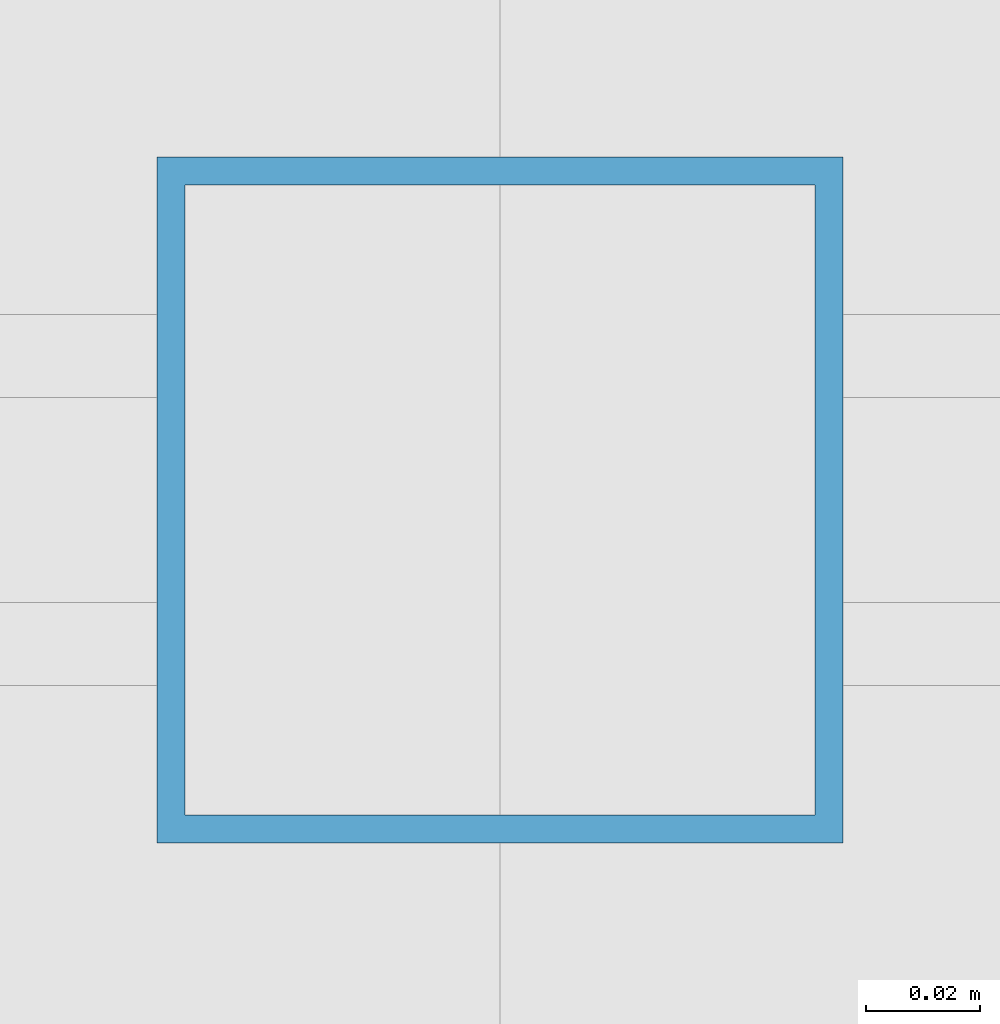
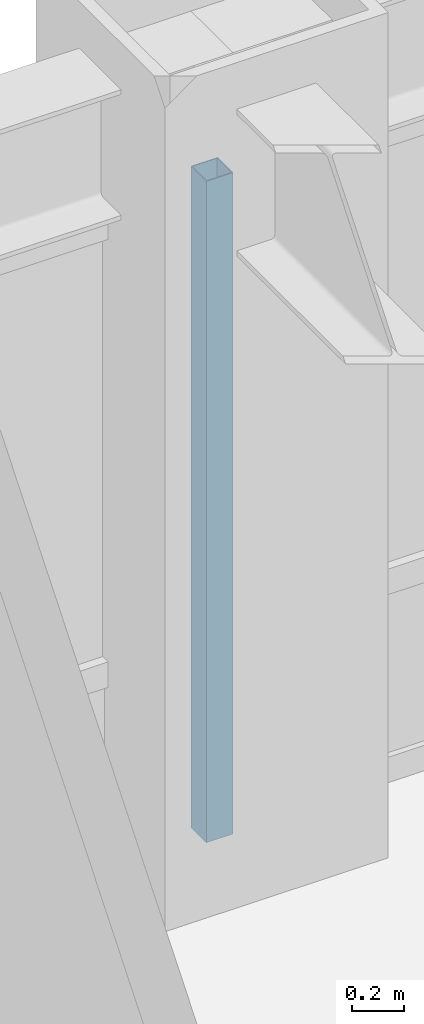
# One storey, part 16 of 25: 1 member, 1 element without a shape of its own.
"""IFC4 building model written with IfcOpenShell, lengths in metres."""

from ifc_helpers import new_model, si_unit, direction, frame, origin, origin_2d, place, context, subcontext, project, spatial, hollow_rectangle, extrude, source, transform, mapped, material, material_profile, profile_set, type_object, element, aggregate, save


model = new_model("IFC4")

# Units and contexts
model_context = context("Model", 3, precision=1e-05, world=origin(), true_north=direction((0.0, 1.0)))
body_context = subcontext(model_context, "Body", "Model", "MODEL_VIEW")
ifc_project = project(units=[si_unit("LENGTHUNIT", "METRE"), si_unit("AREAUNIT", "SQUARE_METRE"), si_unit("VOLUMEUNIT", "CUBIC_METRE"), si_unit("PLANEANGLEUNIT", "RADIAN"), si_unit("MASSUNIT", "GRAM", prefix="KILO")], contexts=[model_context])

# Site, building, storey
site_placement = place(None, origin())
site = spatial("IfcSite", under=ifc_project, at=site_placement, CompositionType="ELEMENT")
building_placement = place(site_placement, origin())
building = spatial("IfcBuilding", under=site, at=building_placement, Name="Khorayat Bourse Tower", CompositionType="ELEMENT")
storey_placement = place(building_placement, frame((0.0, 0.0, 251.10009765625)))
storey = spatial("IfcBuildingStorey", under=building, at=storey_placement, Name="L59", CompositionType="ELEMENT", Elevation=251.10009765625)

# Curtain wall, member
ifc_material = material(Name="Aluminium EN AW-6063 T6", Category="aluminium")
curtain_wall_type = type_object("IfcCurtainWallType", Name="CW-SYS-03", PredefinedType="NOTDEFINED", material=ifc_material)
curtain_wall_placement = place(storey_placement, origin())
curtain_wall = element("IfcCurtainWall", 1, at=curtain_wall_placement, inside=storey, type_object=curtain_wall_type, Name="L59 Curtain Wall CW-L59-N1", PredefinedType="NOTDEFINED")
ifc_material_profile = material_profile(ifc_material, hollow_rectangle(XDim=0.1201171875, YDim=0.1201171875, WallThickness=0.0048828125, at=origin_2d()), Name="ALU 120x120x5")
ifc_profile_set = profile_set([ifc_material_profile], Name="Aluminium EN AW-6063 T6")
member_type = type_object("IfcMemberType", Name="CWM-VERT-120", PredefinedType="MULLION", material=ifc_profile_set)
shared_shape = source(origin(), body_context, "Body", "SweptSolid", [
    extrude(hollow_rectangle(XDim=0.1201171875, YDim=0.1201171875, WallThickness=0.0048828125, at=origin_2d()), origin(), (0.0, 0.0, 1.0), 3.1298828125),
])
member_placement = place(storey_placement, frame((0.0, 30.0, 0.0), z_axis=(0.0, 0.0, 1.0), x_axis=(0.0, 1.0, 0.0)))
member = element("IfcMember", 2, at=member_placement, type_object=member_type, Name="CW-L59-N1 Vertical Mullion 2", PredefinedType="MULLION", context=body_context, shape_type="MappedRepresentation", body=[
    mapped(shared_shape, transform((0.0, 0.0, 0.0), scale=1.0)),
])
aggregate(curtain_wall, [member])

save(model, "model.ifc")
